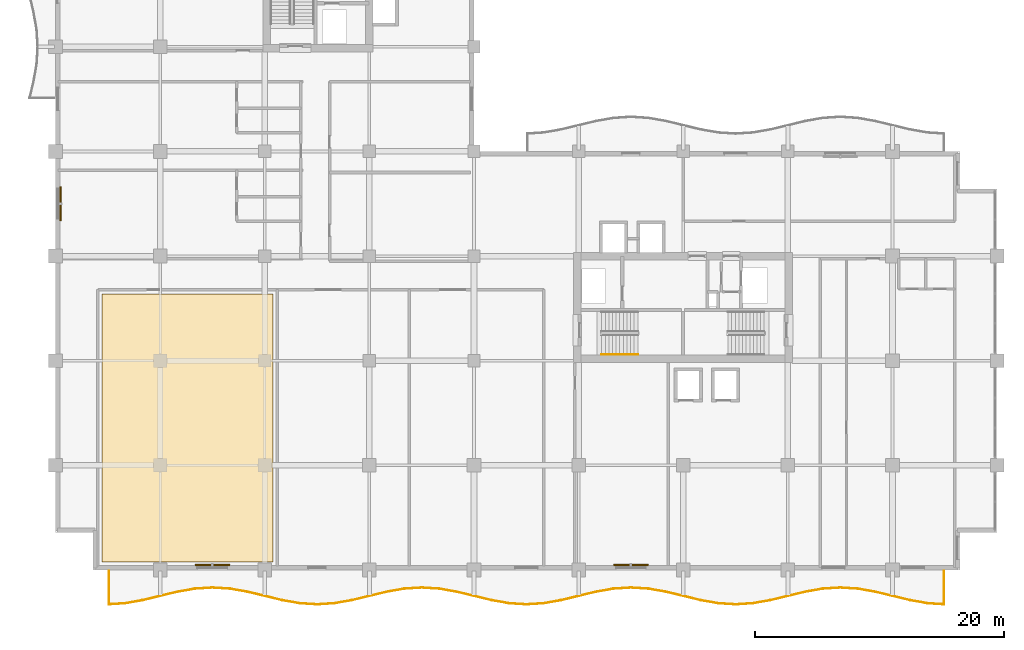
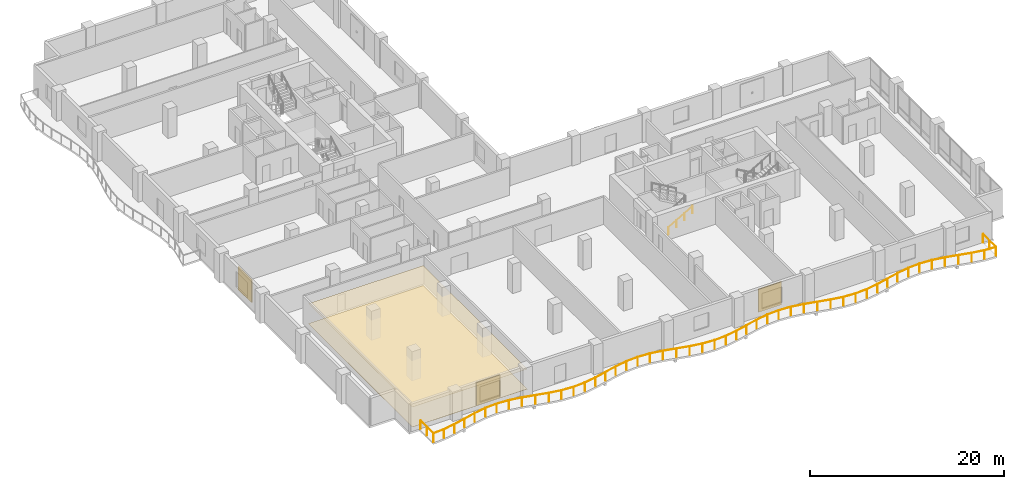
# One storey, part 17 of 20: 3 shading devices, 2 coverings, 2 railings.
"""IFC4 building model written with IfcOpenShell, lengths in metres."""

from ifc_helpers import new_model, si_unit, direction, frame, origin, origin_2d, place, context, subcontext, project, spatial, polyline, rectangle, circle, outline, extrude, material, layer, layer_set, type_object, element, save


model = new_model("IFC4")

# Units and contexts
model_context = context("Model", 3, precision=1e-05, world=origin(), true_north=direction((0.0, 1.0)))
body_context = subcontext(model_context, "Body", "Model", "MODEL_VIEW")
ifc_project = project(units=[si_unit("LENGTHUNIT", "METRE"), si_unit("AREAUNIT", "SQUARE_METRE"), si_unit("VOLUMEUNIT", "CUBIC_METRE"), si_unit("PLANEANGLEUNIT", "RADIAN"), si_unit("MASSUNIT", "GRAM", prefix="KILO")], contexts=[model_context])

# Site, building, storey
site_placement = place(None, origin())
site = spatial("IfcSite", under=ifc_project, at=site_placement, CompositionType="ELEMENT")
building_placement = place(site_placement, origin())
building = spatial("IfcBuilding", under=site, at=building_placement, Name="Koriwani Terraces Tower", CompositionType="ELEMENT")
storey_placement = place(building_placement, frame((0.0, 0.0, 212.39990234375)))
storey = spatial("IfcBuildingStorey", under=building, at=storey_placement, Name="L52", CompositionType="ELEMENT", Elevation=212.39990234375)

# Coverings
ifc_material_1 = material(Name="Fire-Rated Acoustic Gypsum Partition", Category="masonry")
ifc_layer_1 = layer(ifc_material_1, 0.02490234375, Name="Fire-Rated Acoustic Gypsum Partition")
ifc_layer_set_1 = layer_set([ifc_layer_1], Name="Fire-Rated Acoustic Gypsum Partition")
covering_type_1 = type_object("IfcCoveringType", Name="CEILING_ACOUSTIC_GYPSUM", PredefinedType="CEILING", material=ifc_layer_set_1)
covering_1_placement = place(storey_placement, frame((0.0, 0.0, 2.525146484375)))
element("IfcCovering", 1, at=covering_1_placement, inside=storey, type_object=covering_type_1, Name="L52 Suspended Acoustic Gypsum Ceiling", PredefinedType="CEILING", context=body_context, shape_type="SweptSolid", body=[
    extrude(outline(polyline([(3.75, 0.64990234375), (3.75, 22.14990234375), (17.449951171875, 22.14990234375), (17.449951171875, 0.64990234375), (3.75, 0.64990234375)])), origin(), (0.0, 0.0, 1.0), 0.02490234375),
])
ifc_material_2 = material(Name="Polished Andean Slate Flooring", Category="masonry")
ifc_layer_2 = layer(ifc_material_2, 0.030029296875, Name="Polished Andean Slate Flooring")
ifc_layer_set_2 = layer_set([ifc_layer_2], Name="Polished Andean Slate Flooring")
covering_type_2 = type_object("IfcCoveringType", Name="FLOORING_ANDEAN_STONE", PredefinedType="FLOORING", material=ifc_layer_set_2)
covering_2_placement = place(storey_placement, origin())
element("IfcCovering", 2, at=covering_2_placement, inside=storey, type_object=covering_type_2, Name="L52 Polished Andean Slate Floor Finish", PredefinedType="FLOORING", context=body_context, shape_type="SweptSolid", body=[
    extrude(outline(polyline([(3.75, 0.64990234375), (3.75, 22.14990234375), (17.449951171875, 22.14990234375), (17.449951171875, 0.64990234375), (3.75, 0.64990234375)])), origin(), (0.0, 0.0, 1.0), 0.030029296875),
])

# Railings
ifc_material_3 = material(Name="Steel ASTM A572 Grade 50", Category="steel")
railing_type_1 = type_object("IfcRailingType", Name="GUARD_BALUSTRADE_1150", PredefinedType="BALUSTRADE", material=ifc_material_3)
railing_1_placement = place(storey_placement, frame((4.280029296875, -0.080078125, 0.0)))
element("IfcRailing", 3, at=railing_1_placement, inside=storey, type_object=railing_type_1, Name="L52 Balcony Perimeter Safety Balustrade (S)", PredefinedType="BALUSTRADE", context=body_context, shape_type="SweptSolid", body=[
    extrude(circle(Radius=0.02392578125, at=origin_2d()), frame((0.0, 0.0, 1.1259765625), z_axis=(0.0, -1.0, 0.0), x_axis=(1.0, 0.0, 0.0)), (0.0, 0.0, 1.0), 2.6845703125),
    extrude(circle(Radius=0.02392578125, at=origin_2d()), frame((0.0, -2.6845703125, 1.1259765625), z_axis=(0.997928390732, 0.064334492863, 0.0), x_axis=(-0.064334492863, 0.997928390732, 0.0)), (0.0, 0.0, 1.0), 1.31298828125),
    extrude(circle(Radius=0.02392578125, at=origin_2d()), frame((1.310302734375, -2.60009765625, 1.1259765625), z_axis=(0.984757491153, 0.173932985997, 0.0), x_axis=(-0.173932985997, 0.984757491153, 0.0)), (0.0, 0.0, 1.0), 1.414794921875),
    extrude(circle(Radius=0.02392578125, at=origin_2d()), frame((2.70361328125, -2.35400390625, 1.1259765625), z_axis=(0.972166814785, 0.234289744186, 0.0), x_axis=(-0.234289744186, 0.972166814785, 0.0)), (0.0, 0.0, 1.0), 2.880126953125),
    extrude(circle(Radius=0.02392578125, at=origin_2d()), frame((5.503662109375, -1.67919921875, 1.1259765625), z_axis=(0.984778396698, 0.173814583381, 0.0), x_axis=(-0.173814583381, 0.984778396698, 0.0)), (0.0, 0.0, 1.0), 1.428466796875),
    extrude(circle(Radius=0.02392578125, at=origin_2d()), frame((6.910400390625, -1.430908203125, 1.1259765625), z_axis=(0.997931036226, 0.064293443969, 0.0), x_axis=(-0.064293443969, 0.997931036226, 0.0)), (0.0, 0.0, 1.0), 1.41259765625),
    extrude(circle(Radius=0.02392578125, at=origin_2d()), frame((8.320068359375, -1.340087890625, 1.1259765625), z_axis=(0.997930321615, -0.064304534842, 0.0), x_axis=(0.064304534842, 0.997930321615, 0.0)), (0.0, 0.0, 1.0), 1.412353515625),
    extrude(circle(Radius=0.02392578125, at=origin_2d()), frame((9.7294921875, -1.430908203125, 1.1259765625), z_axis=(0.984778396698, -0.173814583381, 0.0), x_axis=(0.173814583381, 0.984778396698, 0.0)), (0.0, 0.0, 1.0), 1.428466796875),
    extrude(circle(Radius=0.02392578125, at=origin_2d()), frame((11.13623046875, -1.67919921875, 1.1259765625), z_axis=(0.972166814785, -0.234289744186, 0.0), x_axis=(0.234289744186, 0.972166814785, 0.0)), (0.0, 0.0, 1.0), 2.880126953125),
    extrude(circle(Radius=0.02392578125, at=origin_2d()), frame((13.936279296875, -2.35400390625, 1.1259765625), z_axis=(0.984757491153, -0.173932985997, 0.0), x_axis=(0.173932985997, 0.984757491153, 0.0)), (0.0, 0.0, 1.0), 1.414794921875),
    extrude(circle(Radius=0.02392578125, at=origin_2d()), frame((15.32958984375, -2.60009765625, 1.1259765625), z_axis=(0.997930027485, -0.064309099225, 0.0), x_axis=(0.064309099225, 0.997930027485, 0.0)), (0.0, 0.0, 1.0), 1.393310546875),
    extrude(circle(Radius=0.02392578125, at=origin_2d()), frame((16.719970703125, -2.689697265625, 1.1259765625), z_axis=(0.997930027485, 0.064309099225, 0.0), x_axis=(-0.064309099225, 0.997930027485, 0.0)), (0.0, 0.0, 1.0), 1.393310546875),
    extrude(circle(Radius=0.02392578125, at=origin_2d()), frame((18.1103515625, -2.60009765625, 1.1259765625), z_axis=(0.984757491153, 0.173932985997, 0.0), x_axis=(-0.173932985997, 0.984757491153, 0.0)), (0.0, 0.0, 1.0), 1.414794921875),
    extrude(circle(Radius=0.02392578125, at=origin_2d()), frame((19.503662109375, -2.35400390625, 1.1259765625), z_axis=(0.972166814785, 0.234289744186, 0.0), x_axis=(-0.234289744186, 0.972166814785, 0.0)), (0.0, 0.0, 1.0), 2.880126953125),
    extrude(circle(Radius=0.02392578125, at=origin_2d()), frame((22.3037109375, -1.67919921875, 1.1259765625), z_axis=(0.984778396698, 0.173814583381, 0.0), x_axis=(-0.173814583381, 0.984778396698, 0.0)), (0.0, 0.0, 1.0), 1.428466796875),
    extrude(circle(Radius=0.02392578125, at=origin_2d()), frame((23.71044921875, -1.430908203125, 1.1259765625), z_axis=(0.997930321615, 0.064304534842, 0.0), x_axis=(-0.064304534842, 0.997930321615, 0.0)), (0.0, 0.0, 1.0), 1.412353515625),
    extrude(circle(Radius=0.02392578125, at=origin_2d()), frame((25.119873046875, -1.340087890625, 1.1259765625), z_axis=(0.997931036226, -0.064293443969, 0.0), x_axis=(0.064293443969, 0.997931036226, 0.0)), (0.0, 0.0, 1.0), 1.41259765625),
    extrude(circle(Radius=0.02392578125, at=origin_2d()), frame((26.529541015625, -1.430908203125, 1.1259765625), z_axis=(0.984778396698, -0.173814583381, 0.0), x_axis=(0.173814583381, 0.984778396698, 0.0)), (0.0, 0.0, 1.0), 1.428466796875),
    extrude(circle(Radius=0.02392578125, at=origin_2d()), frame((27.936279296875, -1.67919921875, 1.1259765625), z_axis=(0.972166814785, -0.234289744186, 0.0), x_axis=(0.234289744186, 0.972166814785, 0.0)), (0.0, 0.0, 1.0), 2.880126953125),
    extrude(circle(Radius=0.02392578125, at=origin_2d()), frame((30.736328125, -2.35400390625, 1.1259765625), z_axis=(0.984757491153, -0.173932985997, 0.0), x_axis=(0.173932985997, 0.984757491153, 0.0)), (0.0, 0.0, 1.0), 1.414794921875),
    extrude(circle(Radius=0.02392578125, at=origin_2d()), frame((32.129638671875, -2.60009765625, 1.1259765625), z_axis=(0.997930027485, -0.064309099225, 0.0), x_axis=(0.064309099225, 0.997930027485, 0.0)), (0.0, 0.0, 1.0), 1.393310546875),
    extrude(circle(Radius=0.02392578125, at=origin_2d()), frame((33.52001953125, -2.689697265625, 1.1259765625), z_axis=(0.997930027485, 0.064309099225, 0.0), x_axis=(-0.064309099225, 0.997930027485, 0.0)), (0.0, 0.0, 1.0), 1.393310546875),
    extrude(circle(Radius=0.02392578125, at=origin_2d()), frame((34.910400390625, -2.60009765625, 1.1259765625), z_axis=(0.984757491153, 0.173932985997, 0.0), x_axis=(-0.173932985997, 0.984757491153, 0.0)), (0.0, 0.0, 1.0), 1.414794921875),
    extrude(circle(Radius=0.02392578125, at=origin_2d()), frame((36.3037109375, -2.35400390625, 1.1259765625), z_axis=(0.972166814785, 0.234289744186, 0.0), x_axis=(-0.234289744186, 0.972166814785, 0.0)), (0.0, 0.0, 1.0), 2.880126953125),
    extrude(circle(Radius=0.02392578125, at=origin_2d()), frame((39.103759765625, -1.67919921875, 1.1259765625), z_axis=(0.984778396698, 0.173814583381, 0.0), x_axis=(-0.173814583381, 0.984778396698, 0.0)), (0.0, 0.0, 1.0), 1.428466796875),
    extrude(circle(Radius=0.02392578125, at=origin_2d()), frame((40.510498046875, -1.430908203125, 1.1259765625), z_axis=(0.997930321615, 0.064304534842, 0.0), x_axis=(-0.064304534842, 0.997930321615, 0.0)), (0.0, 0.0, 1.0), 1.412353515625),
    extrude(circle(Radius=0.02392578125, at=origin_2d()), frame((41.919921875, -1.340087890625, 1.1259765625), z_axis=(0.997931036226, -0.064293443969, 0.0), x_axis=(0.064293443969, 0.997931036226, 0.0)), (0.0, 0.0, 1.0), 1.41259765625),
    extrude(circle(Radius=0.02392578125, at=origin_2d()), frame((43.32958984375, -1.430908203125, 1.1259765625), z_axis=(0.984778396698, -0.173814583381, 0.0), x_axis=(0.173814583381, 0.984778396698, 0.0)), (0.0, 0.0, 1.0), 1.428466796875),
    extrude(circle(Radius=0.02392578125, at=origin_2d()), frame((44.736328125, -1.67919921875, 1.1259765625), z_axis=(0.972166814785, -0.234289744186, 0.0), x_axis=(0.234289744186, 0.972166814785, 0.0)), (0.0, 0.0, 1.0), 2.880126953125),
    extrude(circle(Radius=0.02392578125, at=origin_2d()), frame((47.536376953125, -2.35400390625, 1.1259765625), z_axis=(0.984757491153, -0.173932985997, 0.0), x_axis=(0.173932985997, 0.984757491153, 0.0)), (0.0, 0.0, 1.0), 1.414794921875),
    extrude(circle(Radius=0.02392578125, at=origin_2d()), frame((48.9296875, -2.60009765625, 1.1259765625), z_axis=(0.997930027485, -0.064309099225, 0.0), x_axis=(0.064309099225, 0.997930027485, 0.0)), (0.0, 0.0, 1.0), 1.393310546875),
    extrude(circle(Radius=0.02392578125, at=origin_2d()), frame((50.320068359375, -2.689697265625, 1.1259765625), z_axis=(0.997930027485, 0.064309099225, 0.0), x_axis=(-0.064309099225, 0.997930027485, 0.0)), (0.0, 0.0, 1.0), 1.393310546875),
    extrude(circle(Radius=0.02392578125, at=origin_2d()), frame((51.71044921875, -2.60009765625, 1.1259765625), z_axis=(0.984757491153, 0.173932985997, 0.0), x_axis=(-0.173932985997, 0.984757491153, 0.0)), (0.0, 0.0, 1.0), 1.414794921875),
    extrude(circle(Radius=0.02392578125, at=origin_2d()), frame((53.103759765625, -2.35400390625, 1.1259765625), z_axis=(0.97216216133, 0.234309052487, 0.0), x_axis=(-0.234309052487, 0.97216216133, 0.0)), (0.0, 0.0, 1.0), 2.8798828125),
    extrude(circle(Radius=0.02392578125, at=origin_2d()), frame((55.903564453125, -1.67919921875, 1.1259765625), z_axis=(0.984783558818, 0.173785333909, 0.0), x_axis=(-0.173785333909, 0.984783558818, 0.0)), (0.0, 0.0, 1.0), 1.4287109375),
    extrude(circle(Radius=0.02392578125, at=origin_2d()), frame((57.310546875, -1.430908203125, 1.1259765625), z_axis=(0.997930321615, 0.064304534842, 0.0), x_axis=(-0.064304534842, 0.997930321615, 0.0)), (0.0, 0.0, 1.0), 1.412353515625),
    extrude(circle(Radius=0.02392578125, at=origin_2d()), frame((58.719970703125, -1.340087890625, 1.1259765625), z_axis=(0.997930321615, -0.064304534842, 0.0), x_axis=(0.064304534842, 0.997930321615, 0.0)), (0.0, 0.0, 1.0), 1.412353515625),
    extrude(circle(Radius=0.02392578125, at=origin_2d()), frame((60.12939453125, -1.430908203125, 1.1259765625), z_axis=(0.984783558818, -0.173785333909, 0.0), x_axis=(0.173785333909, 0.984783558818, 0.0)), (0.0, 0.0, 1.0), 1.4287109375),
    extrude(circle(Radius=0.02392578125, at=origin_2d()), frame((61.536376953125, -1.67919921875, 1.1259765625), z_axis=(0.97216216133, -0.234309052487, 0.0), x_axis=(0.234309052487, 0.97216216133, 0.0)), (0.0, 0.0, 1.0), 2.8798828125),
    extrude(circle(Radius=0.02392578125, at=origin_2d()), frame((64.336181640625, -2.35400390625, 1.1259765625), z_axis=(0.984757491153, -0.173932985997, 0.0), x_axis=(0.173932985997, 0.984757491153, 0.0)), (0.0, 0.0, 1.0), 1.414794921875),
    extrude(circle(Radius=0.02392578125, at=origin_2d()), frame((65.7294921875, -2.60009765625, 1.1259765625), z_axis=(0.997929160101, -0.064322557637, 0.0), x_axis=(0.064322557637, 0.997929160101, 0.0)), (0.0, 0.0, 1.0), 1.313232421875),
    extrude(circle(Radius=0.02392578125, at=origin_2d()), frame((67.0400390625, -2.6845703125, 1.1259765625), z_axis=(0.0, 1.0, 0.0), x_axis=(-1.0, 0.0, 0.0)), (0.0, 0.0, 1.0), 2.6845703125),
    extrude(circle(Radius=0.02099609375, at=origin_2d()), origin(), (0.0, 0.0, 1.0), 1.101806640625),
    extrude(circle(Radius=0.02099609375, at=origin_2d()), frame((0.0, -1.34228515625, 0.0)), (0.0, 0.0, 1.0), 1.101806640625),
    extrude(circle(Radius=0.02099609375, at=origin_2d()), frame((0.0, -2.6845703125, 0.0)), (0.0, 0.0, 1.0), 1.101806640625),
    extrude(circle(Radius=0.02099609375, at=origin_2d()), frame((1.310302734375, -2.60009765625, 0.0)), (0.0, 0.0, 1.0), 1.101806640625),
    extrude(circle(Radius=0.02099609375, at=origin_2d()), frame((2.70361328125, -2.35400390625, 0.0)), (0.0, 0.0, 1.0), 1.101806640625),
    extrude(circle(Radius=0.02099609375, at=origin_2d()), frame((4.103515625, -2.0166015625, 0.0)), (0.0, 0.0, 1.0), 1.101806640625),
    extrude(circle(Radius=0.02099609375, at=origin_2d()), frame((5.503662109375, -1.67919921875, 0.0)), (0.0, 0.0, 1.0), 1.101806640625),
    extrude(circle(Radius=0.02099609375, at=origin_2d()), frame((6.910400390625, -1.430908203125, 0.0)), (0.0, 0.0, 1.0), 1.101806640625),
    extrude(circle(Radius=0.02099609375, at=origin_2d()), frame((8.320068359375, -1.340087890625, 0.0)), (0.0, 0.0, 1.0), 1.101806640625),
    extrude(circle(Radius=0.02099609375, at=origin_2d()), frame((9.7294921875, -1.430908203125, 0.0)), (0.0, 0.0, 1.0), 1.101806640625),
    extrude(circle(Radius=0.02099609375, at=origin_2d()), frame((11.13623046875, -1.67919921875, 0.0)), (0.0, 0.0, 1.0), 1.101806640625),
    extrude(circle(Radius=0.02099609375, at=origin_2d()), frame((12.5361328125, -2.0166015625, 0.0)), (0.0, 0.0, 1.0), 1.101806640625),
    extrude(circle(Radius=0.02099609375, at=origin_2d()), frame((13.936279296875, -2.35400390625, 0.0)), (0.0, 0.0, 1.0), 1.101806640625),
    extrude(circle(Radius=0.02099609375, at=origin_2d()), frame((15.32958984375, -2.60009765625, 0.0)), (0.0, 0.0, 1.0), 1.101806640625),
    extrude(circle(Radius=0.02099609375, at=origin_2d()), frame((16.719970703125, -2.689697265625, 0.0)), (0.0, 0.0, 1.0), 1.101806640625),
    extrude(circle(Radius=0.02099609375, at=origin_2d()), frame((18.1103515625, -2.60009765625, 0.0)), (0.0, 0.0, 1.0), 1.101806640625),
    extrude(circle(Radius=0.02099609375, at=origin_2d()), frame((19.503662109375, -2.35400390625, 0.0)), (0.0, 0.0, 1.0), 1.101806640625),
    extrude(circle(Radius=0.02099609375, at=origin_2d()), frame((20.90380859375, -2.0166015625, 0.0)), (0.0, 0.0, 1.0), 1.101806640625),
    extrude(circle(Radius=0.02099609375, at=origin_2d()), frame((22.3037109375, -1.67919921875, 0.0)), (0.0, 0.0, 1.0), 1.101806640625),
    extrude(circle(Radius=0.02099609375, at=origin_2d()), frame((23.71044921875, -1.430908203125, 0.0)), (0.0, 0.0, 1.0), 1.101806640625),
    extrude(circle(Radius=0.02099609375, at=origin_2d()), frame((25.119873046875, -1.340087890625, 0.0)), (0.0, 0.0, 1.0), 1.101806640625),
    extrude(circle(Radius=0.02099609375, at=origin_2d()), frame((26.529541015625, -1.430908203125, 0.0)), (0.0, 0.0, 1.0), 1.101806640625),
    extrude(circle(Radius=0.02099609375, at=origin_2d()), frame((27.936279296875, -1.67919921875, 0.0)), (0.0, 0.0, 1.0), 1.101806640625),
    extrude(circle(Radius=0.02099609375, at=origin_2d()), frame((29.33642578125, -2.0166015625, 0.0)), (0.0, 0.0, 1.0), 1.101806640625),
    extrude(circle(Radius=0.02099609375, at=origin_2d()), frame((30.736328125, -2.35400390625, 0.0)), (0.0, 0.0, 1.0), 1.101806640625),
    extrude(circle(Radius=0.02099609375, at=origin_2d()), frame((32.129638671875, -2.60009765625, 0.0)), (0.0, 0.0, 1.0), 1.101806640625),
    extrude(circle(Radius=0.02099609375, at=origin_2d()), frame((33.52001953125, -2.689697265625, 0.0)), (0.0, 0.0, 1.0), 1.101806640625),
    extrude(circle(Radius=0.02099609375, at=origin_2d()), frame((34.910400390625, -2.60009765625, 0.0)), (0.0, 0.0, 1.0), 1.101806640625),
    extrude(circle(Radius=0.02099609375, at=origin_2d()), frame((36.3037109375, -2.35400390625, 0.0)), (0.0, 0.0, 1.0), 1.101806640625),
    extrude(circle(Radius=0.02099609375, at=origin_2d()), frame((37.70361328125, -2.0166015625, 0.0)), (0.0, 0.0, 1.0), 1.101806640625),
    extrude(circle(Radius=0.02099609375, at=origin_2d()), frame((39.103759765625, -1.67919921875, 0.0)), (0.0, 0.0, 1.0), 1.101806640625),
    extrude(circle(Radius=0.02099609375, at=origin_2d()), frame((40.510498046875, -1.430908203125, 0.0)), (0.0, 0.0, 1.0), 1.101806640625),
    extrude(circle(Radius=0.02099609375, at=origin_2d()), frame((41.919921875, -1.340087890625, 0.0)), (0.0, 0.0, 1.0), 1.101806640625),
    extrude(circle(Radius=0.02099609375, at=origin_2d()), frame((43.32958984375, -1.430908203125, 0.0)), (0.0, 0.0, 1.0), 1.101806640625),
    extrude(circle(Radius=0.02099609375, at=origin_2d()), frame((44.736328125, -1.67919921875, 0.0)), (0.0, 0.0, 1.0), 1.101806640625),
    extrude(circle(Radius=0.02099609375, at=origin_2d()), frame((46.13623046875, -2.0166015625, 0.0)), (0.0, 0.0, 1.0), 1.101806640625),
    extrude(circle(Radius=0.02099609375, at=origin_2d()), frame((47.536376953125, -2.35400390625, 0.0)), (0.0, 0.0, 1.0), 1.101806640625),
    extrude(circle(Radius=0.02099609375, at=origin_2d()), frame((48.9296875, -2.60009765625, 0.0)), (0.0, 0.0, 1.0), 1.101806640625),
    extrude(circle(Radius=0.02099609375, at=origin_2d()), frame((50.320068359375, -2.689697265625, 0.0)), (0.0, 0.0, 1.0), 1.101806640625),
    extrude(circle(Radius=0.02099609375, at=origin_2d()), frame((51.71044921875, -2.60009765625, 0.0)), (0.0, 0.0, 1.0), 1.101806640625),
    extrude(circle(Radius=0.02099609375, at=origin_2d()), frame((53.103759765625, -2.35400390625, 0.0)), (0.0, 0.0, 1.0), 1.101806640625),
    extrude(circle(Radius=0.02099609375, at=origin_2d()), frame((54.503662109375, -2.0166015625, 0.0)), (0.0, 0.0, 1.0), 1.101806640625),
    extrude(circle(Radius=0.02099609375, at=origin_2d()), frame((55.903564453125, -1.67919921875, 0.0)), (0.0, 0.0, 1.0), 1.101806640625),
    extrude(circle(Radius=0.02099609375, at=origin_2d()), frame((57.310546875, -1.430908203125, 0.0)), (0.0, 0.0, 1.0), 1.101806640625),
    extrude(circle(Radius=0.02099609375, at=origin_2d()), frame((58.719970703125, -1.340087890625, 0.0)), (0.0, 0.0, 1.0), 1.101806640625),
    extrude(circle(Radius=0.02099609375, at=origin_2d()), frame((60.12939453125, -1.430908203125, 0.0)), (0.0, 0.0, 1.0), 1.101806640625),
    extrude(circle(Radius=0.02099609375, at=origin_2d()), frame((61.536376953125, -1.67919921875, 0.0)), (0.0, 0.0, 1.0), 1.101806640625),
    extrude(circle(Radius=0.02099609375, at=origin_2d()), frame((62.936279296875, -2.0166015625, 0.0)), (0.0, 0.0, 1.0), 1.101806640625),
    extrude(circle(Radius=0.02099609375, at=origin_2d()), frame((64.336181640625, -2.35400390625, 0.0)), (0.0, 0.0, 1.0), 1.101806640625),
    extrude(circle(Radius=0.02099609375, at=origin_2d()), frame((65.7294921875, -2.60009765625, 0.0)), (0.0, 0.0, 1.0), 1.101806640625),
    extrude(circle(Radius=0.02099609375, at=origin_2d()), frame((67.0400390625, -2.6845703125, 0.0)), (0.0, 0.0, 1.0), 1.101806640625),
    extrude(circle(Radius=0.02099609375, at=origin_2d()), frame((67.0400390625, -1.34228515625, 0.0)), (0.0, 0.0, 1.0), 1.101806640625),
    extrude(circle(Radius=0.02099609375, at=origin_2d()), frame((67.0400390625, 0.0, 0.0)), (0.0, 0.0, 1.0), 1.101806640625),
])
railing_type_2 = type_object("IfcRailingType", Name="HANDRAIL_STAIR_920", PredefinedType="HANDRAIL", material=ifc_material_3)
railing_2_placement = place(storey_placement, frame((43.85009765625, 17.300048828125, 0.168212890625)))
element("IfcRailing", 4, at=railing_2_placement, inside=storey, type_object=railing_type_2, Name="L52 ST-E1 stair handrail 1", PredefinedType="HANDRAIL", context=body_context, shape_type="SweptSolid", body=[
    extrude(circle(Radius=0.02392578125, at=origin_2d()), frame((0.0, 0.0, 0.8759765625), z_axis=(0.865038774852, 0.0, 0.501705010941), x_axis=(0.0, 1.0, 0.0)), (0.0, 0.0, 1.0), 3.352294921875),
    extrude(circle(Radius=0.02099609375, at=origin_2d()), origin(), (0.0, 0.0, 1.0), 0.851806640625),
    extrude(circle(Radius=0.02099609375, at=origin_2d()), frame((0.966552734375, 0.0, 0.560546875)), (0.0, 0.0, 1.0), 0.851806640625),
    extrude(circle(Radius=0.02099609375, at=origin_2d()), frame((1.933349609375, 0.0, 1.121337890625)), (0.0, 0.0, 1.0), 0.851806640625),
    extrude(circle(Radius=0.02099609375, at=origin_2d()), frame((2.89990234375, 0.0, 1.681884765625)), (0.0, 0.0, 1.0), 0.851806640625),
])

# Shading devices
ifc_material_4 = material(Name="Extruded Terracotta Clay", Category="masonry")
ifc_layer_3 = layer(ifc_material_4, 0.1201171875, Name="Extruded Terracotta Clay")
ifc_layer_set_3 = layer_set([ifc_layer_3], Name="Extruded Terracotta Clay")
shading_device_type = type_object("IfcShadingDeviceType", Name="TERRACOTTA_BAGUETTE_SCREEN_2800", PredefinedType="USERDEFINED", material=ifc_layer_set_3)
for number, where, z_axis, x_axis, name in (
    (5, (0.405029296875, 29.39990234375, 0.28515625), (0.0, 0.0, 1.0), (0.0, 1.0, 0.0), "L52 Extruded Terracotta Baguette Screen (W-9)"),
    (6, (12.60009765625, 0.405029296875, 0.28515625), (0.0, 0.0, 1.0), (-1.0, 0.0, 0.0), "L52 Extruded Terracotta Baguette Screen (S-3)"),
    (7, (46.199951171875, 0.405029296875, 0.28515625), (0.0, 0.0, 1.0), (-1.0, 0.0, 0.0), "L52 Extruded Terracotta Baguette Screen (S-15)"),
):
    element("IfcShadingDevice", number, at=place(storey_placement, frame(where, z_axis=z_axis, x_axis=x_axis)), inside=storey, type_object=shading_device_type, Name=name, ObjectType="BAGUETTE", PredefinedType="USERDEFINED", context=body_context, shape_type="SweptSolid", body=[
        extrude(rectangle(XDim=2.760009765625, YDim=0.1201171875, at=origin_2d()), origin(), (0.0, 0.0, 1.0), 2.89990234375),
    ])

save(model, "model.ifc")
